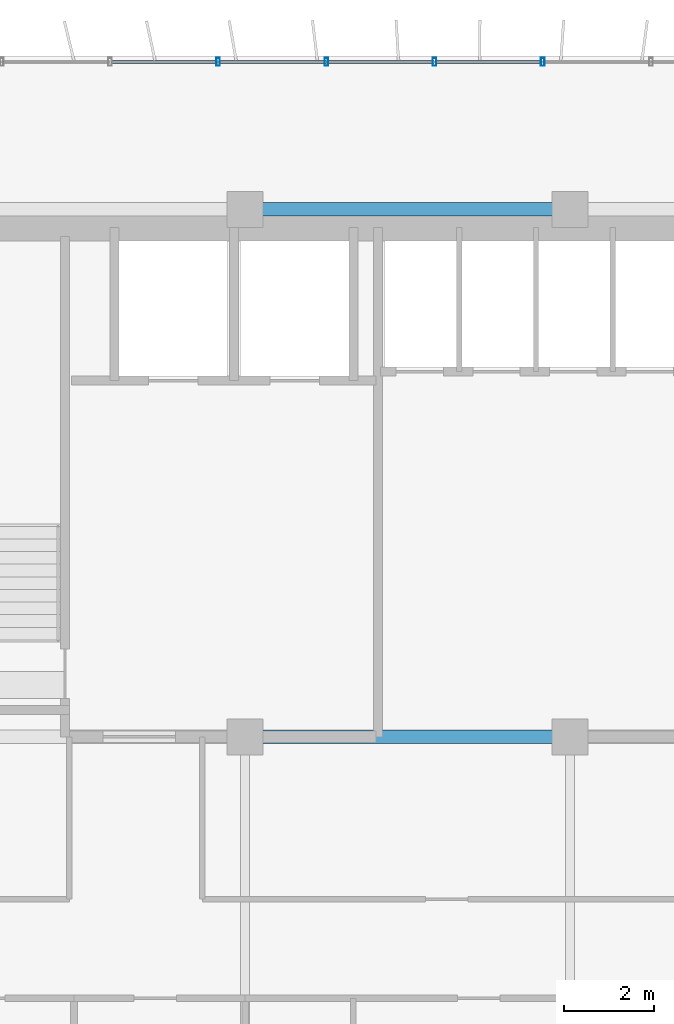
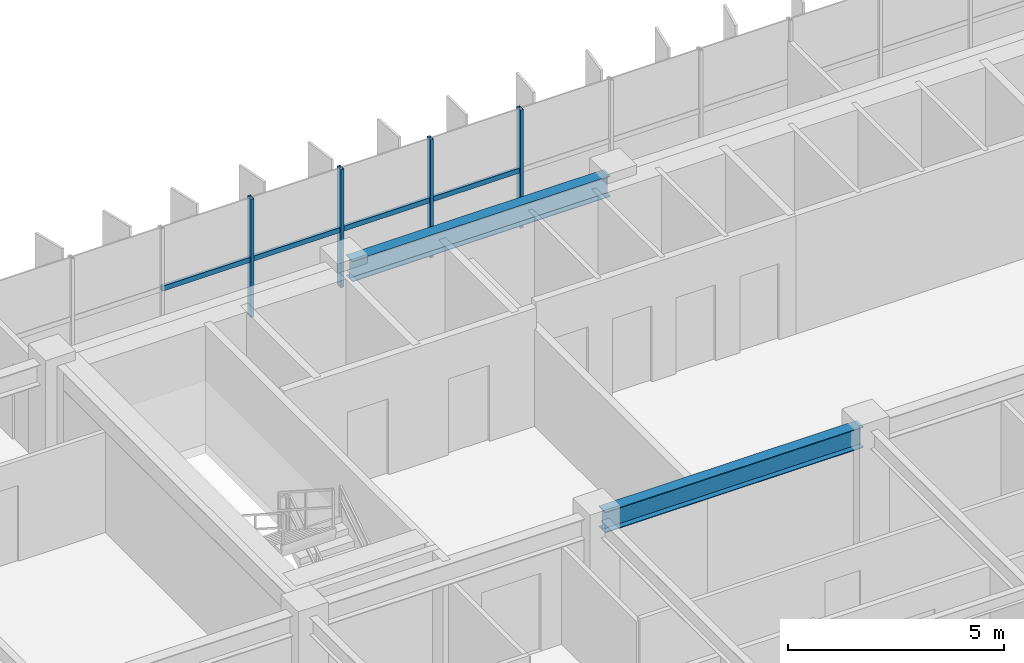
# One storey, part 6 of 22: 8 members, 2 beams, 1 element without a shape of its own.
"""IFC4 building model written with IfcOpenShell, lengths in metres."""

from ifc_helpers import new_model, si_unit, direction, frame, origin, origin_2d, place, context, subcontext, project, spatial, hollow_rectangle, i_section, extrude, source, transform, mapped, material, material_profile, profile_set, type_object, element, aggregate, save


model = new_model("IFC4")

# Units and contexts
model_context = context("Model", 3, precision=1e-05, world=origin(), true_north=direction((0.0, 1.0)))
body_context = subcontext(model_context, "Body", "Model", "MODEL_VIEW")
ifc_project = project(units=[si_unit("LENGTHUNIT", "METRE"), si_unit("AREAUNIT", "SQUARE_METRE"), si_unit("VOLUMEUNIT", "CUBIC_METRE"), si_unit("PLANEANGLEUNIT", "RADIAN"), si_unit("MASSUNIT", "GRAM", prefix="KILO")], contexts=[model_context])

# Site, building, storey
site_placement = place(None, origin())
site = spatial("IfcSite", under=ifc_project, at=site_placement, CompositionType="ELEMENT")
building_placement = place(site_placement, origin())
building = spatial("IfcBuilding", under=site, at=building_placement, Name="Trelvane Seafront Commons", CompositionType="ELEMENT")
storey_placement = place(building_placement, frame((0.0, 0.0, 99.699951171875)))
storey = spatial("IfcBuildingStorey", under=building, at=storey_placement, Name="L25", CompositionType="ELEMENT", Elevation=99.699951171875)

# Beams
ifc_material_1 = material(Name="Steel SM355 (S355)", Category="steel")
ifc_material_profile_1 = material_profile(ifc_material_1, i_section(OverallWidth=0.300048828125, OverallDepth=0.587890625, WebThickness=0.011962890625, FlangeThickness=0.02001953125, at=origin_2d()), Name="H-588x300x12x20")
ifc_profile_set_1 = profile_set([ifc_material_profile_1], Name="Steel SM355 (S355)")
beam_type = type_object("IfcBeamType", Name="STR-BM-H588", PredefinedType="BEAM", material=ifc_profile_set_1)
shared_shape_1 = source(origin(), body_context, "Body", "SweptSolid", [
    extrude(i_section(OverallWidth=0.300048828125, OverallDepth=0.587890625, WebThickness=0.011962890625, FlangeThickness=0.02001953125, at=origin_2d()), origin(), (0.0, 0.0, 1.0), 6.89990234375),
])
for number, where, z_axis, x_axis, name in (
    (1, (23.550048828125, 33.39990234375, 3.046142578125), (1.0, 0.0, 0.0), (0.0, 1.0, 0.0), "L25 Primary Girder G-22"),
    (2, (23.550048828125, 45.10009765625, 3.046142578125), (1.0, 0.0, 0.0), (0.0, 1.0, 0.0), "L25 Primary Girder G-31"),
):
    element("IfcBeam", number, at=place(storey_placement, frame(where, z_axis=z_axis, x_axis=x_axis)), inside=storey, type_object=beam_type, Name=name, PredefinedType="BEAM", context=body_context, shape_type="MappedRepresentation", body=[
        mapped(shared_shape_1, transform((0.0, 0.0, 0.0), x_axis=(1.0, 0.0, 0.0), y_axis=(0.0, 1.0, 0.0), z_axis=(0.0, 0.0, 1.0), scale=1.0)),
    ])

# Curtain wall, members
ifc_material_2 = material(Name="Anodised pale-silver aluminium", Category="aluminium")
curtain_wall_type = type_object("IfcCurtainWallType", Name="ARCH-CW4-SKYLOBBY", PredefinedType="NOTDEFINED", material=ifc_material_2)
curtain_wall_placement = place(storey_placement, origin())
curtain_wall = element("IfcCurtainWall", 3, at=curtain_wall_placement, inside=storey, type_object=curtain_wall_type, Name="CW-L25-0050", PredefinedType="NOTDEFINED")
ifc_material_profile_2 = material_profile(ifc_material_2, hollow_rectangle(XDim=0.074951171875, YDim=0.139892578125, WallThickness=0.00390625, at=origin_2d()), Name="TRAN-75x140x4")
ifc_profile_set_2 = profile_set([ifc_material_profile_2], Name="Anodised pale-silver aluminium")
member_type_1 = type_object("IfcMemberType", Name="ARCH-CW-TRAN-140", PredefinedType="USERDEFINED", material=ifc_profile_set_2)
shared_shape_2 = source(origin(), body_context, "Body", "SweptSolid", [
    extrude(hollow_rectangle(XDim=0.074951171875, YDim=0.139892578125, WallThickness=0.00390625, at=origin_2d()), origin(), (0.0, 0.0, 1.0), 2.3759765625),
])
member_1_placement = place(storey_placement, frame((20.412109375, 48.3701171875, 1.60302734375), z_axis=(1.0, 0.0, 0.0), x_axis=(0.0, 1.0, 0.0)))
member_1 = element("IfcMember", 4, at=member_1_placement, type_object=member_type_1, Name="CW-L25-0050-T02", ObjectType="TRANSOM", PredefinedType="USERDEFINED", context=body_context, shape_type="MappedRepresentation", body=[
    mapped(shared_shape_2, transform((0.0, 0.0, 0.0), x_axis=(1.0, 0.0, 0.0), y_axis=(0.0, 1.0, 0.0), z_axis=(0.0, 0.0, 1.0), scale=1.0)),
])
member_2_placement = place(storey_placement, frame((22.81201171875, 48.3701171875, 1.60302734375), z_axis=(1.0, 0.0, 0.0), x_axis=(0.0, 1.0, 0.0)))
member_2 = element("IfcMember", 5, at=member_2_placement, type_object=member_type_1, Name="CW-L25-0050-T03", ObjectType="TRANSOM", PredefinedType="USERDEFINED", context=body_context, shape_type="MappedRepresentation", body=[
    mapped(shared_shape_2, transform((0.0, 0.0, 0.0), x_axis=(1.0, 0.0, 0.0), y_axis=(0.0, 1.0, 0.0), z_axis=(0.0, 0.0, 1.0), scale=1.0)),
])
member_3_placement = place(storey_placement, frame((25.2119140625, 48.3701171875, 1.60302734375), z_axis=(1.0, 0.0, 0.0), x_axis=(0.0, 1.0, 0.0)))
member_3 = element("IfcMember", 6, at=member_3_placement, type_object=member_type_1, Name="CW-L25-0050-T04", ObjectType="TRANSOM", PredefinedType="USERDEFINED", context=body_context, shape_type="MappedRepresentation", body=[
    mapped(shared_shape_2, transform((0.0, 0.0, 0.0), x_axis=(1.0, 0.0, 0.0), y_axis=(0.0, 1.0, 0.0), z_axis=(0.0, 0.0, 1.0), scale=1.0)),
])
member_4_placement = place(storey_placement, frame((27.612060546875, 48.3701171875, 1.60302734375), z_axis=(1.0, 0.0, 0.0), x_axis=(0.0, 1.0, 0.0)))
member_4 = element("IfcMember", 7, at=member_4_placement, type_object=member_type_1, Name="CW-L25-0050-T05", ObjectType="TRANSOM", PredefinedType="USERDEFINED", context=body_context, shape_type="MappedRepresentation", body=[
    mapped(shared_shape_2, transform((0.0, 0.0, 0.0), x_axis=(1.0, 0.0, 0.0), y_axis=(0.0, 1.0, 0.0), z_axis=(0.0, 0.0, 1.0), scale=1.0)),
])
ifc_material_profile_3 = material_profile(ifc_material_2, hollow_rectangle(XDim=0.080078125, YDim=0.179931640625, WallThickness=0.00439453125, at=origin_2d()), Name="MULL-80x180x4.5")
ifc_profile_set_3 = profile_set([ifc_material_profile_3], Name="Anodised pale-silver aluminium")
member_type_2 = type_object("IfcMemberType", Name="ARCH-CW-MULL-180", PredefinedType="MULLION", material=ifc_profile_set_3)
shared_shape_3 = source(origin(), body_context, "Body", "SweptSolid", [
    extrude(hollow_rectangle(XDim=0.080078125, YDim=0.179931640625, WallThickness=0.00439453125, at=origin_2d()), origin(), (0.0, 0.0, 1.0), 3.340087890625),
])
member_5_placement = place(storey_placement, frame((22.800048828125, 48.3701171875, 0.0), z_axis=(0.0, 0.0, 1.0), x_axis=(1.0, 0.0, 0.0)))
member_5 = element("IfcMember", 8, at=member_5_placement, type_object=member_type_2, Name="CW-L25-0050-M03", PredefinedType="MULLION", context=body_context, shape_type="MappedRepresentation", body=[
    mapped(shared_shape_3, transform((0.0, 0.0, 0.0), x_axis=(1.0, 0.0, 0.0), y_axis=(0.0, 1.0, 0.0), z_axis=(0.0, 0.0, 1.0), scale=1.0)),
])
member_6_placement = place(storey_placement, frame((25.199951171875, 48.3701171875, 0.0), z_axis=(0.0, 0.0, 1.0), x_axis=(1.0, 0.0, 0.0)))
member_6 = element("IfcMember", 9, at=member_6_placement, type_object=member_type_2, Name="CW-L25-0050-M04", PredefinedType="MULLION", context=body_context, shape_type="MappedRepresentation", body=[
    mapped(shared_shape_3, transform((0.0, 0.0, 0.0), x_axis=(1.0, 0.0, 0.0), y_axis=(0.0, 1.0, 0.0), z_axis=(0.0, 0.0, 1.0), scale=1.0)),
])
member_7_placement = place(storey_placement, frame((27.60009765625, 48.3701171875, 0.0), z_axis=(0.0, 0.0, 1.0), x_axis=(1.0, 0.0, 0.0)))
member_7 = element("IfcMember", 10, at=member_7_placement, type_object=member_type_2, Name="CW-L25-0050-M05", PredefinedType="MULLION", context=body_context, shape_type="MappedRepresentation", body=[
    mapped(shared_shape_3, transform((0.0, 0.0, 0.0), x_axis=(1.0, 0.0, 0.0), y_axis=(0.0, 1.0, 0.0), z_axis=(0.0, 0.0, 1.0), scale=1.0)),
])
member_8_placement = place(storey_placement, frame((30.0, 48.3701171875, 0.0), z_axis=(0.0, 0.0, 1.0), x_axis=(1.0, 0.0, 0.0)))
member_8 = element("IfcMember", 11, at=member_8_placement, type_object=member_type_2, Name="CW-L25-0050-M06", PredefinedType="MULLION", context=body_context, shape_type="MappedRepresentation", body=[
    mapped(shared_shape_3, transform((0.0, 0.0, 0.0), x_axis=(1.0, 0.0, 0.0), y_axis=(0.0, 1.0, 0.0), z_axis=(0.0, 0.0, 1.0), scale=1.0)),
])
aggregate(curtain_wall, [member_5, member_6, member_7, member_8, member_1, member_2, member_3, member_4])

save(model, "model.ifc")
